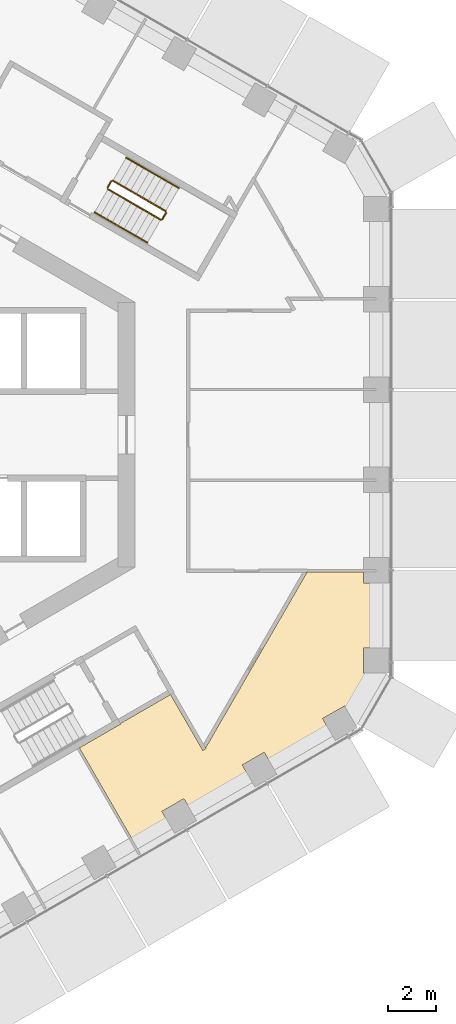
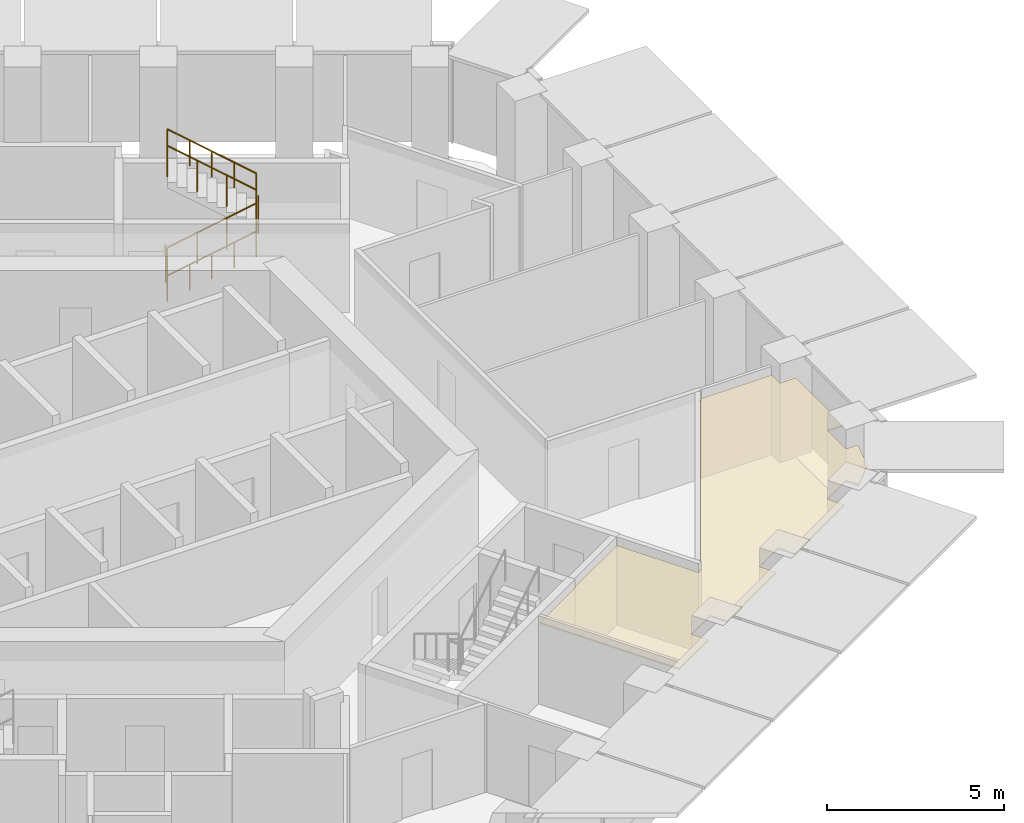
# One storey, part 18 of 18: 8 railings, 1 covering.
"""IFC4 building model written with IfcOpenShell, lengths in metres."""

from ifc_helpers import new_model, si_unit, direction, frame, origin, origin_2d, place, context, subcontext, project, spatial, polyline, circle, outline, extrude, material, layer, layer_set, type_object, element, save


model = new_model("IFC4")

# Units and contexts
model_context = context("Model", 3, precision=1e-05, world=origin(), true_north=direction((0.0, 1.0)))
body_context = subcontext(model_context, "Body", "Model", "MODEL_VIEW")
ifc_project = project(units=[si_unit("LENGTHUNIT", "METRE"), si_unit("AREAUNIT", "SQUARE_METRE"), si_unit("VOLUMEUNIT", "CUBIC_METRE"), si_unit("PLANEANGLEUNIT", "RADIAN"), si_unit("MASSUNIT", "GRAM", prefix="KILO")], contexts=[model_context])

# Site, building, storey
site_placement = place(None, origin())
site = spatial("IfcSite", under=ifc_project, at=site_placement, CompositionType="ELEMENT")
building_placement = place(site_placement, origin())
building = spatial("IfcBuilding", under=site, at=building_placement, Name="Ayvan Gate Tower", CompositionType="ELEMENT")
storey_placement = place(building_placement, frame((0.0, 0.0, 89.89990234375)))
storey = spatial("IfcBuildingStorey", under=building, at=storey_placement, Name="L23", CompositionType="ELEMENT", Elevation=89.89990234375)

# Covering
ifc_material_1 = material(Name="Plasterboard suspended ceiling")
ifc_layer = layer(ifc_material_1, 0.050048828125)
ifc_layer_set = layer_set([ifc_layer], Name="Plasterboard suspended ceiling")
covering_type = type_object("IfcCoveringType", Name="CT-SUSP-50", PredefinedType="CEILING", material=ifc_layer_set)
covering_placement = place(storey_placement, frame((0.0, 0.0, 2.7001953125)))
element("IfcCovering", 1, at=covering_placement, inside=storey, type_object=covering_type, Name="Ceiling Gym L23", PredefinedType="CEILING", context=body_context, shape_type="SweptSolid", body=[
    extrude(outline(polyline([(10.95068359375, -10.76708984375), (10.972412109375, -10.754638671875), (12.30908203125, -13.06982421875), (12.43896484375, -12.994873046875), (12.391357421875, -12.912353515625), (12.43896484375, -12.93994140625), (16.60107421875, -5.73095703125), (16.55322265625, -5.70361328125), (16.6484375, -5.70361328125), (16.6484375, -5.678466796875), (18.960693359375, -5.678466796875), (18.960693359375, -6.133056640625), (19.485595703125, -6.133056640625), (19.485595703125, -8.821533203125), (18.960693359375, -8.821533203125), (18.960693359375, -9.87158203125), (19.35400390625, -9.87158203125), (19.08349609375, -10.880859375), (18.38232421875, -11.58203125), (18.177734375, -11.2275390625), (17.268310546875, -11.75244140625), (17.545654296875, -12.23291015625), (15.12841796875, -13.628662109375), (14.850830078125, -13.148193359375), (13.941650390625, -13.67333984375), (14.218994140625, -14.153564453125), (13.350830078125, -14.65478515625), (11.801513671875, -15.54931640625), (11.524169921875, -15.069091796875), (10.61474609375, -15.593994140625), (10.89208984375, -16.07421875), (9.466796875, -16.897216796875), (7.196044921875, -12.9638671875), (8.906494140625, -11.976318359375), (8.893798828125, -11.95458984375), (10.95068359375, -10.76708984375)])), origin(), (0.0, 0.0, 1.0), 0.0498046875),
])

# Railings
ifc_material_2 = material(Name="Stainless steel balustrade", Category="steel")
railing_type_1 = type_object("IfcRailingType", Name="RL-GUARD-1100", PredefinedType="GUARDRAIL", material=ifc_material_2)
railing_1_placement = place(storey_placement, frame((8.381103515625, 10.16650390625, 0.170166015625)))
element("IfcRailing", 2, at=railing_1_placement, inside=storey, type_object=railing_type_1, Name="L23 STS1 stair guard 1", PredefinedType="GUARDRAIL", context=body_context, shape_type="SweptSolid", body=[
    extrude(circle(Radius=0.02392578125, at=origin_2d()), frame((0.0, 0.0, 1.076171875), z_axis=(0.740261155115, -0.427395438142, 0.518986090067), x_axis=(0.500004791531, 0.866022637375, 0.0)), (0.0, 0.0, 1.0), 2.947998046875),
    extrude(circle(Radius=0.02099609375, at=origin_2d()), origin(), (0.0, 0.0, 1.0), 1.052001953125),
    extrude(circle(Radius=0.02099609375, at=origin_2d()), frame((0.7275390625, -0.419921875, 0.510009765625)), (0.0, 0.0, 1.0), 1.052001953125),
    extrude(circle(Radius=0.02099609375, at=origin_2d()), frame((1.454833984375, -0.840087890625, 1.02001953125)), (0.0, 0.0, 1.0), 1.052001953125),
    extrude(circle(Radius=0.02099609375, at=origin_2d()), frame((2.182373046875, -1.260009765625, 1.530029296875)), (0.0, 0.0, 1.0), 1.052001953125),
])
railing_2_placement = place(storey_placement, frame((10.6318359375, 8.9248046875, 1.7001953125)))
element("IfcRailing", 3, at=railing_2_placement, inside=storey, type_object=railing_type_1, Name="L23 STS1 stair guard 2", PredefinedType="GUARDRAIL", context=body_context, shape_type="SweptSolid", body=[
    extrude(circle(Radius=0.02392578125, at=origin_2d()), frame((0.0, 0.0, 1.076171875), z_axis=(0.499949632511, 0.866054481515, 0.0), x_axis=(-0.866054481515, 0.499949632511, 0.0)), (0.0, 0.0, 1.0), 0.31005859375),
    extrude(circle(Radius=0.02099609375, at=origin_2d()), origin(), (0.0, 0.0, 1.0), 1.052001953125),
    extrude(circle(Radius=0.02099609375, at=origin_2d()), frame((0.155029296875, 0.2685546875, 0.0)), (0.0, 0.0, 1.0), 1.052001953125),
])
railing_3_placement = place(storey_placement, frame((10.7685546875, 9.261474609375, 1.8701171875)))
element("IfcRailing", 4, at=railing_3_placement, inside=storey, type_object=railing_type_1, Name="L23 STS1 stair guard 3", PredefinedType="GUARDRAIL", context=body_context, shape_type="SweptSolid", body=[
    extrude(circle(Radius=0.02392578125, at=origin_2d()), frame((0.0, 0.0, 1.076171875), z_axis=(-0.740261155115, 0.427395438142, 0.518986090067), x_axis=(-0.500004791531, -0.866022637375, 0.0)), (0.0, 0.0, 1.0), 2.947998046875),
    extrude(circle(Radius=0.02099609375, at=origin_2d()), origin(), (0.0, 0.0, 1.0), 1.052001953125),
    extrude(circle(Radius=0.02099609375, at=origin_2d()), frame((-0.7275390625, 0.419921875, 0.510009765625)), (0.0, 0.0, 1.0), 1.052001953125),
    extrude(circle(Radius=0.02099609375, at=origin_2d()), frame((-1.454833984375, 0.840087890625, 1.02001953125)), (0.0, 0.0, 1.0), 1.052001953125),
    extrude(circle(Radius=0.02099609375, at=origin_2d()), frame((-2.182373046875, 1.260009765625, 1.530029296875)), (0.0, 0.0, 1.0), 1.052001953125),
])
railing_4_placement = place(storey_placement, frame((8.36279296875, 10.23486328125, 0.0)))
element("IfcRailing", 5, at=railing_4_placement, inside=storey, type_object=railing_type_1, Name="L23 STS1 stair guard 4", PredefinedType="GUARDRAIL", context=body_context, shape_type="SweptSolid", body=[
    extrude(circle(Radius=0.02392578125, at=origin_2d()), frame((0.0, 0.0, 1.076171875), z_axis=(0.500290723946, 0.86585748916, 0.0), x_axis=(-0.86585748916, 0.500290723946, 0.0)), (0.0, 0.0, 1.0), 0.309814453125),
    extrude(circle(Radius=0.02099609375, at=origin_2d()), origin(), (0.0, 0.0, 1.0), 1.052001953125),
    extrude(circle(Radius=0.02099609375, at=origin_2d()), frame((0.155029296875, 0.268310546875, 0.0)), (0.0, 0.0, 1.0), 1.052001953125),
])
railing_type_2 = type_object("IfcRailingType", Name="RL-HANDRAIL-900", PredefinedType="HANDRAIL", material=ifc_material_2)
railing_5_placement = place(storey_placement, frame((7.8310546875, 9.2138671875, 0.170166015625)))
element("IfcRailing", 6, at=railing_5_placement, inside=storey, type_object=railing_type_2, Name="L23 STS1 stair handrail 1", PredefinedType="HANDRAIL", context=body_context, shape_type="SweptSolid", body=[
    extrude(circle(Radius=0.02392578125, at=origin_2d()), frame((0.0, 0.0, 0.8759765625), z_axis=(0.740356597536, -0.427319915356, 0.518912129772), x_axis=(0.499890179513, 0.866088799389, 0.0)), (0.0, 0.0, 1.0), 1.47412109375),
    extrude(circle(Radius=0.02099609375, at=origin_2d()), origin(), (0.0, 0.0, 1.0), 0.851806640625),
    extrude(circle(Radius=0.02099609375, at=origin_2d()), frame((0.545654296875, -0.31494140625, 0.38232421875)), (0.0, 0.0, 1.0), 0.851806640625),
    extrude(circle(Radius=0.02099609375, at=origin_2d()), frame((1.09130859375, -0.6298828125, 0.764892578125)), (0.0, 0.0, 1.0), 0.851806640625),
])
railing_6_placement = place(storey_placement, frame((8.92236328125, 8.583984375, 0.93505859375)))
element("IfcRailing", 7, at=railing_6_placement, inside=storey, type_object=railing_type_2, Name="L23 STS1 stair handrail 2", PredefinedType="HANDRAIL", context=body_context, shape_type="SweptSolid", body=[
    extrude(circle(Radius=0.02392578125, at=origin_2d()), frame((0.0, 0.0, 0.8759765625), z_axis=(0.740165700939, -0.427470949681, 0.519060037311), x_axis=(0.50011940292, 0.865956455501, 0.0)), (0.0, 0.0, 1.0), 1.47412109375),
    extrude(circle(Radius=0.02099609375, at=origin_2d()), origin(), (0.0, 0.0, 1.0), 0.851806640625),
    extrude(circle(Radius=0.02099609375, at=origin_2d()), frame((0.54541015625, -0.31494140625, 0.382568359375)), (0.0, 0.0, 1.0), 0.851806640625),
    extrude(circle(Radius=0.02099609375, at=origin_2d()), frame((1.091064453125, -0.630126953125, 0.76513671875)), (0.0, 0.0, 1.0), 0.851806640625),
])
railing_7_placement = place(storey_placement, frame((11.318603515625, 10.214111328125, 1.8701171875)))
element("IfcRailing", 8, at=railing_7_placement, inside=storey, type_object=railing_type_2, Name="L23 STS1 stair handrail 3", PredefinedType="HANDRAIL", context=body_context, shape_type="SweptSolid", body=[
    extrude(circle(Radius=0.02392578125, at=origin_2d()), frame((0.0, 0.0, 0.8759765625), z_axis=(-0.740304193401, 0.427455284825, 0.518875399983), x_axis=(-0.500035496587, -0.86600490885, 0.0)), (0.0, 0.0, 1.0), 1.47412109375),
    extrude(circle(Radius=0.02099609375, at=origin_2d()), origin(), (0.0, 0.0, 1.0), 0.851806640625),
    extrude(circle(Radius=0.02099609375, at=origin_2d()), frame((-0.545654296875, 0.31494140625, 0.38232421875)), (0.0, 0.0, 1.0), 0.851806640625),
    extrude(circle(Radius=0.02099609375, at=origin_2d()), frame((-1.09130859375, 0.630126953125, 0.764892578125)), (0.0, 0.0, 1.0), 0.851806640625),
])
railing_8_placement = place(storey_placement, frame((10.227294921875, 10.84423828125, 2.635009765625)))
element("IfcRailing", 9, at=railing_8_placement, inside=storey, type_object=railing_type_2, Name="L23 STS1 stair handrail 4", PredefinedType="HANDRAIL", context=body_context, shape_type="SweptSolid", body=[
    extrude(circle(Radius=0.02392578125, at=origin_2d()), frame((0.0, 0.0, 0.8759765625), z_axis=(-0.740292964666, 0.42728318766, 0.519033143459), x_axis=(-0.499890179513, -0.866088799389, 0.0)), (0.0, 0.0, 1.0), 1.47412109375),
    extrude(circle(Radius=0.02099609375, at=origin_2d()), origin(), (0.0, 0.0, 1.0), 0.851806640625),
    extrude(circle(Radius=0.02099609375, at=origin_2d()), frame((-0.545654296875, 0.31494140625, 0.382568359375)), (0.0, 0.0, 1.0), 0.851806640625),
    extrude(circle(Radius=0.02099609375, at=origin_2d()), frame((-1.09130859375, 0.6298828125, 0.76513671875)), (0.0, 0.0, 1.0), 0.851806640625),
])

save(model, "model.ifc")
